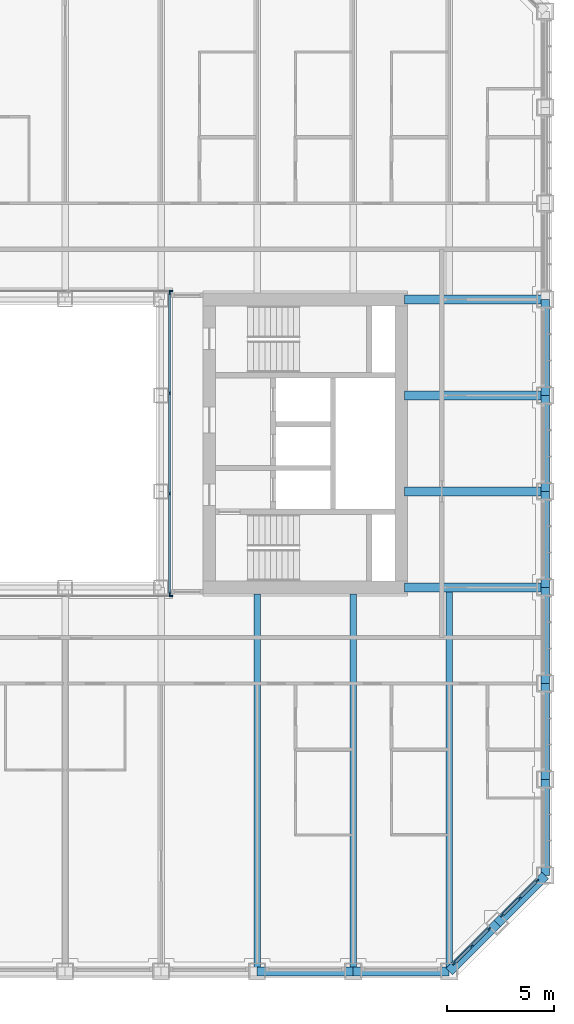
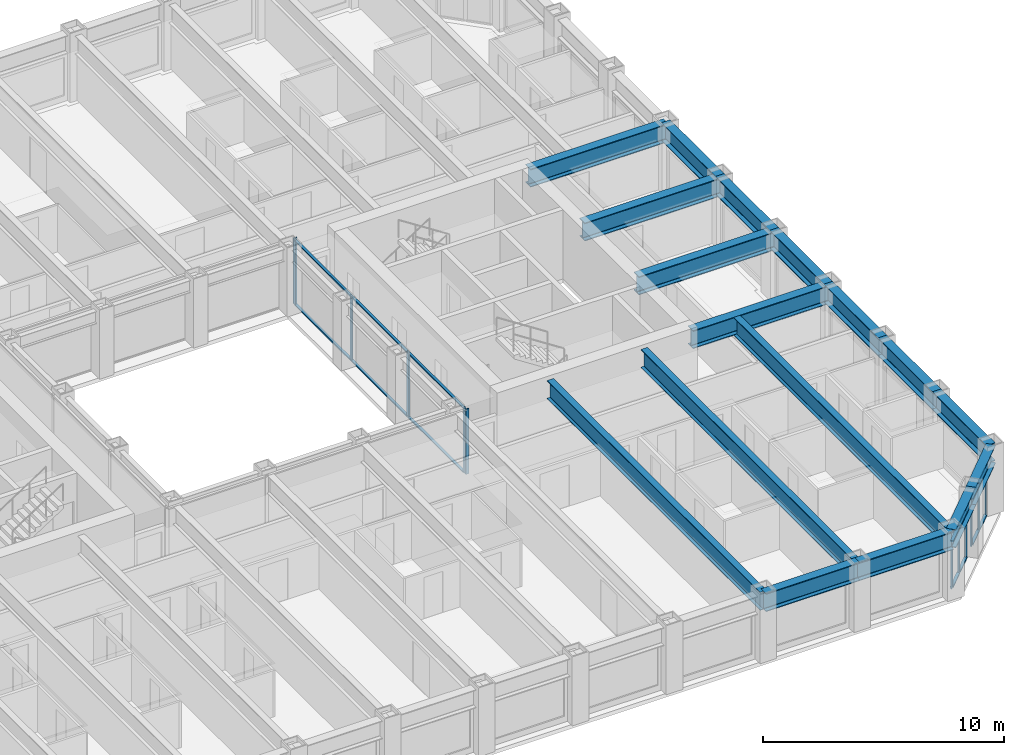
# One storey, part 5 of 21: 26 members, 17 beams, 5 elements without a shape of their own.
"""IFC4 building model written with IfcOpenShell, lengths in metres."""

from ifc_helpers import new_model, si_unit, direction, frame, origin, origin_2d, place, context, subcontext, project, spatial, rectangle, i_section, extrude, material, material_profile, profile_set, type_object, element, aggregate, save


model = new_model("IFC4")

# Units and contexts
model_context = context("Model", 3, precision=1e-05, world=origin(), true_north=direction((0.0, 1.0)))
body_context = subcontext(model_context, "Body", "Model", "MODEL_VIEW")
ifc_project = project(units=[si_unit("LENGTHUNIT", "METRE"), si_unit("AREAUNIT", "SQUARE_METRE"), si_unit("VOLUMEUNIT", "CUBIC_METRE"), si_unit("PLANEANGLEUNIT", "RADIAN"), si_unit("MASSUNIT", "GRAM", prefix="KILO")], contexts=[model_context])

# Site, building, storey
site_placement = place(None, origin())
site = spatial("IfcSite", under=ifc_project, at=site_placement, CompositionType="ELEMENT")
building_placement = place(site_placement, origin())
building = spatial("IfcBuilding", under=site, at=building_placement, Name="Msasa Ring Tower", CompositionType="ELEMENT")
storey_placement = place(building_placement, frame((0.0, 0.0, 79.0)))
storey = spatial("IfcBuildingStorey", under=building, at=storey_placement, Name="L20", CompositionType="ELEMENT", Elevation=79.0)

# Curtain wall, members
ifc_material_1 = material(Name="Aluminium curtain wall with clear glass", Category="aluminium")
curtain_wall_type_1 = type_object("IfcCurtainWallType", Name="CW-C CHAMFER CORNER CURTAIN WALL", PredefinedType="NOTDEFINED", material=ifc_material_1)
curtain_wall_1_placement = place(storey_placement, origin())
curtain_wall_1 = element("IfcCurtainWall", 1, at=curtain_wall_1_placement, inside=storey, type_object=curtain_wall_type_1, Name="Chamfer corner curtain wall SE L20", PredefinedType="NOTDEFINED")
ifc_material_2 = material(Name="Aluminium mullion", Category="aluminium")
ifc_material_profile_1 = material_profile(ifc_material_2, rectangle(XDim=0.06494140625, YDim=0.179931640625, at=origin_2d()), Name="AL 65x180")
ifc_profile_set_1 = profile_set([ifc_material_profile_1], Name="Aluminium mullion")
member_type_1 = type_object("IfcMemberType", Name="CW-C MULLION 65x180", PredefinedType="MULLION", material=ifc_profile_set_1)
member_1_placement = place(storey_placement, frame((20.48876953125, -24.369873046875, 0.0), z_axis=(0.0, 0.0, 1.0), x_axis=(-0.707106781187, 0.707106781187, 0.0)))
member_1 = element("IfcMember", 2, at=member_1_placement, type_object=member_type_1, Name="CW-C mullion 1", PredefinedType="MULLION", context=body_context, shape_type="SweptSolid", body=[
    extrude(rectangle(XDim=0.06494140625, YDim=0.179931640625, at=origin_2d()), origin(), (0.0, 0.0, 1.0), 2.37890625),
])
member_2_placement = place(storey_placement, frame((21.30419921875, -23.55419921875, 0.0), z_axis=(0.0, 0.0, 1.0), x_axis=(-0.707106781187, 0.707106781187, 0.0)))
member_2 = element("IfcMember", 3, at=member_2_placement, type_object=member_type_1, Name="CW-C mullion 2", PredefinedType="MULLION", context=body_context, shape_type="SweptSolid", body=[
    extrude(rectangle(XDim=0.06494140625, YDim=0.179931640625, at=origin_2d()), origin(), (0.0, 0.0, 1.0), 2.37890625),
])
member_3_placement = place(storey_placement, frame((22.119873046875, -22.73876953125, 0.0), z_axis=(0.0, 0.0, 1.0), x_axis=(-0.707106781187, 0.707106781187, 0.0)))
member_3 = element("IfcMember", 4, at=member_3_placement, type_object=member_type_1, Name="CW-C mullion 3", PredefinedType="MULLION", context=body_context, shape_type="SweptSolid", body=[
    extrude(rectangle(XDim=0.06494140625, YDim=0.179931640625, at=origin_2d()), origin(), (0.0, 0.0, 1.0), 2.37890625),
])

curtain_wall_2_placement = place(storey_placement, origin())
curtain_wall_2 = element("IfcCurtainWall", 5, at=curtain_wall_2_placement, inside=storey, type_object=curtain_wall_type_1, Name="Chamfer corner curtain wall SE L20", PredefinedType="NOTDEFINED")
member_4_placement = place(storey_placement, frame((22.73876953125, -22.119873046875, 0.0), z_axis=(0.0, 0.0, 1.0), x_axis=(-0.707106781187, 0.707106781187, 0.0)))
member_4 = element("IfcMember", 6, at=member_4_placement, type_object=member_type_1, Name="CW-C mullion 1", PredefinedType="MULLION", context=body_context, shape_type="SweptSolid", body=[
    extrude(rectangle(XDim=0.06494140625, YDim=0.179931640625, at=origin_2d()), origin(), (0.0, 0.0, 1.0), 2.37890625),
])
member_5_placement = place(storey_placement, frame((23.55419921875, -21.30419921875, 0.0), z_axis=(0.0, 0.0, 1.0), x_axis=(-0.707106781187, 0.707106781187, 0.0)))
member_5 = element("IfcMember", 7, at=member_5_placement, type_object=member_type_1, Name="CW-C mullion 2", PredefinedType="MULLION", context=body_context, shape_type="SweptSolid", body=[
    extrude(rectangle(XDim=0.06494140625, YDim=0.179931640625, at=origin_2d()), origin(), (0.0, 0.0, 1.0), 2.37890625),
])
member_6_placement = place(storey_placement, frame((24.369873046875, -20.48876953125, 0.0), z_axis=(0.0, 0.0, 1.0), x_axis=(-0.707106781187, 0.707106781187, 0.0)))
member_6 = element("IfcMember", 8, at=member_6_placement, type_object=member_type_1, Name="CW-C mullion 3", PredefinedType="MULLION", context=body_context, shape_type="SweptSolid", body=[
    extrude(rectangle(XDim=0.06494140625, YDim=0.179931640625, at=origin_2d()), origin(), (0.0, 0.0, 1.0), 2.37890625),
])

# Member
ifc_material_3 = material(Name="Aluminium transom", Category="aluminium")
ifc_material_profile_2 = material_profile(ifc_material_3, rectangle(XDim=0.139892578125, YDim=0.06494140625, at=origin_2d()), Name="AL 65x140")
ifc_profile_set_2 = profile_set([ifc_material_profile_2], Name="Aluminium transom")
member_type_2 = type_object("IfcMemberType", Name="CW-C TRANSOM 65x140", PredefinedType="USERDEFINED", material=ifc_profile_set_2)
member_7_placement = place(storey_placement, frame((20.51171875, -24.346923828125, 0.032470703125), z_axis=(0.707106781187, 0.707106781187, 0.0), x_axis=(-0.707106781187, 0.707106781187, 0.0)))
member_7 = element("IfcMember", 9, at=member_7_placement, type_object=member_type_2, Name="CW-C transom 1.1", ObjectType="TRANSOM", PredefinedType="USERDEFINED", context=body_context, shape_type="SweptSolid", body=[
    extrude(rectangle(XDim=0.139892578125, YDim=0.06494140625, at=origin_2d()), origin(), (0.0, 0.0, 1.0), 1.08837890625),
])

member_8_placement = place(storey_placement, frame((20.51171875, -24.346923828125, 2.346435546875), z_axis=(0.707106781187, 0.707106781187, 0.0), x_axis=(-0.707106781187, 0.707106781187, 0.0)))
member_8 = element("IfcMember", 10, at=member_8_placement, type_object=member_type_2, Name="CW-C transom 1.2", ObjectType="TRANSOM", PredefinedType="USERDEFINED", context=body_context, shape_type="SweptSolid", body=[
    extrude(rectangle(XDim=0.139892578125, YDim=0.06494140625, at=origin_2d()), origin(), (0.0, 0.0, 1.0), 1.08837890625),
])

member_9_placement = place(storey_placement, frame((21.327392578125, -23.53125, 0.032470703125), z_axis=(0.707106781187, 0.707106781187, 0.0), x_axis=(-0.707106781187, 0.707106781187, 0.0)))
member_9 = element("IfcMember", 11, at=member_9_placement, type_object=member_type_2, Name="CW-C transom 2.1", ObjectType="TRANSOM", PredefinedType="USERDEFINED", context=body_context, shape_type="SweptSolid", body=[
    extrude(rectangle(XDim=0.139892578125, YDim=0.06494140625, at=origin_2d()), origin(), (0.0, 0.0, 1.0), 1.08837890625),
])

member_10_placement = place(storey_placement, frame((21.327392578125, -23.53125, 2.346435546875), z_axis=(0.707106781187, 0.707106781187, 0.0), x_axis=(-0.707106781187, 0.707106781187, 0.0)))
member_10 = element("IfcMember", 12, at=member_10_placement, type_object=member_type_2, Name="CW-C transom 2.2", ObjectType="TRANSOM", PredefinedType="USERDEFINED", context=body_context, shape_type="SweptSolid", body=[
    extrude(rectangle(XDim=0.139892578125, YDim=0.06494140625, at=origin_2d()), origin(), (0.0, 0.0, 1.0), 1.08837890625),
])

aggregate(curtain_wall_1, [member_1, member_2, member_3, member_7, member_8, member_9, member_10])

member_11_placement = place(storey_placement, frame((22.76171875, -22.096923828125, 0.032470703125), z_axis=(0.707106781187, 0.707106781187, 0.0), x_axis=(-0.707106781187, 0.707106781187, 0.0)))
member_11 = element("IfcMember", 13, at=member_11_placement, type_object=member_type_2, Name="CW-C transom 1.1", ObjectType="TRANSOM", PredefinedType="USERDEFINED", context=body_context, shape_type="SweptSolid", body=[
    extrude(rectangle(XDim=0.139892578125, YDim=0.06494140625, at=origin_2d()), origin(), (0.0, 0.0, 1.0), 1.08837890625),
])

member_12_placement = place(storey_placement, frame((22.76171875, -22.096923828125, 2.346435546875), z_axis=(0.707106781187, 0.707106781187, 0.0), x_axis=(-0.707106781187, 0.707106781187, 0.0)))
member_12 = element("IfcMember", 14, at=member_12_placement, type_object=member_type_2, Name="CW-C transom 1.2", ObjectType="TRANSOM", PredefinedType="USERDEFINED", context=body_context, shape_type="SweptSolid", body=[
    extrude(rectangle(XDim=0.139892578125, YDim=0.06494140625, at=origin_2d()), origin(), (0.0, 0.0, 1.0), 1.08837890625),
])

member_13_placement = place(storey_placement, frame((23.577392578125, -21.28125, 0.032470703125), z_axis=(0.707106781187, 0.707106781187, 0.0), x_axis=(-0.707106781187, 0.707106781187, 0.0)))
member_13 = element("IfcMember", 15, at=member_13_placement, type_object=member_type_2, Name="CW-C transom 2.1", ObjectType="TRANSOM", PredefinedType="USERDEFINED", context=body_context, shape_type="SweptSolid", body=[
    extrude(rectangle(XDim=0.139892578125, YDim=0.06494140625, at=origin_2d()), origin(), (0.0, 0.0, 1.0), 1.08837890625),
])

member_14_placement = place(storey_placement, frame((23.577392578125, -21.28125, 2.346435546875), z_axis=(0.707106781187, 0.707106781187, 0.0), x_axis=(-0.707106781187, 0.707106781187, 0.0)))
member_14 = element("IfcMember", 16, at=member_14_placement, type_object=member_type_2, Name="CW-C transom 2.2", ObjectType="TRANSOM", PredefinedType="USERDEFINED", context=body_context, shape_type="SweptSolid", body=[
    extrude(rectangle(XDim=0.139892578125, YDim=0.06494140625, at=origin_2d()), origin(), (0.0, 0.0, 1.0), 1.08837890625),
])

aggregate(curtain_wall_2, [member_4, member_5, member_6, member_11, member_12, member_13, member_14])

# Curtain wall, member
ifc_material_4 = material(Name="Aluminium curtain wall with clear glass", Category="aluminium")
curtain_wall_type_2 = type_object("IfcCurtainWallType", Name="CW-W LIGHT WELL CURTAIN WALL", PredefinedType="NOTDEFINED", material=ifc_material_4)
curtain_wall_3_placement = place(storey_placement, origin())
curtain_wall_3 = element("IfcCurtainWall", 17, at=curtain_wall_3_placement, inside=storey, type_object=curtain_wall_type_2, Name="Light well curtain wall N L20", PredefinedType="NOTDEFINED")
ifc_material_5 = material(Name="Aluminium mullion", Category="aluminium")
ifc_material_profile_3 = material_profile(ifc_material_5, rectangle(XDim=0.06005859375, YDim=0.159912109375, at=origin_2d()), Name="AL 60x160")
ifc_profile_set_3 = profile_set([ifc_material_profile_3], Name="Aluminium mullion")
member_type_3 = type_object("IfcMemberType", Name="CW-W MULLION 60x160", PredefinedType="MULLION", material=ifc_profile_set_3)
member_15_placement = place(storey_placement, frame((7.199951171875, 7.14990234375, 0.0), z_axis=(0.0, 0.0, 1.0), x_axis=(0.0, 1.0, 0.0)))
member_15 = element("IfcMember", 18, at=member_15_placement, type_object=member_type_3, Name="CW-W mullion 4", PredefinedType="MULLION", context=body_context, shape_type="SweptSolid", body=[
    extrude(rectangle(XDim=0.06005859375, YDim=0.159912109375, at=origin_2d()), origin(), (0.0, 0.0, 1.0), 3.300048828125),
])
aggregate(curtain_wall_3, [member_15])

curtain_wall_4_placement = place(storey_placement, origin())
curtain_wall_4 = element("IfcCurtainWall", 19, at=curtain_wall_4_placement, inside=storey, type_object=curtain_wall_type_2, Name="Light well curtain wall S L20", PredefinedType="NOTDEFINED")
member_16_placement = place(storey_placement, frame((7.199951171875, -7.14990234375, 0.0), z_axis=(0.0, 0.0, 1.0), x_axis=(0.0, 1.0, 0.0)))
member_16 = element("IfcMember", 20, at=member_16_placement, type_object=member_type_3, Name="CW-W mullion 4", PredefinedType="MULLION", context=body_context, shape_type="SweptSolid", body=[
    extrude(rectangle(XDim=0.06005859375, YDim=0.159912109375, at=origin_2d()), origin(), (0.0, 0.0, 1.0), 3.300048828125),
])
aggregate(curtain_wall_4, [member_16])

# Curtain wall, members
curtain_wall_5_placement = place(storey_placement, origin())
curtain_wall_5 = element("IfcCurtainWall", 21, at=curtain_wall_5_placement, inside=storey, type_object=curtain_wall_type_2, Name="Light well curtain wall E L20", PredefinedType="NOTDEFINED")
member_17_placement = place(storey_placement, frame((7.14990234375, -7.0400390625, 0.0), z_axis=(0.0, 0.0, 1.0), x_axis=(-1.0, 0.0, 0.0)))
member_17 = element("IfcMember", 22, at=member_17_placement, type_object=member_type_3, Name="CW-W mullion 1", PredefinedType="MULLION", context=body_context, shape_type="SweptSolid", body=[
    extrude(rectangle(XDim=0.06005859375, YDim=0.159912109375, at=origin_2d()), origin(), (0.0, 0.0, 1.0), 3.300048828125),
])
member_18_placement = place(storey_placement, frame((7.14990234375, -2.356689453125, 0.0), z_axis=(0.0, 0.0, 1.0), x_axis=(-1.0, 0.0, 0.0)))
member_18 = element("IfcMember", 23, at=member_18_placement, type_object=member_type_3, Name="CW-W mullion 2", PredefinedType="MULLION", context=body_context, shape_type="SweptSolid", body=[
    extrude(rectangle(XDim=0.06005859375, YDim=0.159912109375, at=origin_2d()), origin(), (0.0, 0.0, 1.0), 3.300048828125),
])
member_19_placement = place(storey_placement, frame((7.14990234375, 2.356689453125, 0.0), z_axis=(0.0, 0.0, 1.0), x_axis=(-1.0, 0.0, 0.0)))
member_19 = element("IfcMember", 24, at=member_19_placement, type_object=member_type_3, Name="CW-W mullion 3", PredefinedType="MULLION", context=body_context, shape_type="SweptSolid", body=[
    extrude(rectangle(XDim=0.06005859375, YDim=0.159912109375, at=origin_2d()), origin(), (0.0, 0.0, 1.0), 3.300048828125),
])
member_20_placement = place(storey_placement, frame((7.14990234375, 7.0400390625, 0.0), z_axis=(0.0, 0.0, 1.0), x_axis=(-1.0, 0.0, 0.0)))
member_20 = element("IfcMember", 25, at=member_20_placement, type_object=member_type_3, Name="CW-W mullion 4", PredefinedType="MULLION", context=body_context, shape_type="SweptSolid", body=[
    extrude(rectangle(XDim=0.06005859375, YDim=0.159912109375, at=origin_2d()), origin(), (0.0, 0.0, 1.0), 3.300048828125),
])
ifc_material_6 = material(Name="Aluminium transom", Category="aluminium")
ifc_material_profile_4 = material_profile(ifc_material_6, rectangle(XDim=0.1201171875, YDim=0.06005859375, at=origin_2d()), Name="AL 60x120")
ifc_profile_set_4 = profile_set([ifc_material_profile_4], Name="Aluminium transom")
member_type_4 = type_object("IfcMemberType", Name="CW-W TRANSOM 60x120", PredefinedType="USERDEFINED", material=ifc_profile_set_4)
member_21_placement = place(storey_placement, frame((7.14990234375, -7.010009765625, 0.030029296875), z_axis=(0.0, 1.0, 0.0), x_axis=(-1.0, 0.0, 0.0)))
member_21 = element("IfcMember", 26, at=member_21_placement, type_object=member_type_4, Name="CW-W transom 1.1", ObjectType="TRANSOM", PredefinedType="USERDEFINED", context=body_context, shape_type="SweptSolid", body=[
    extrude(rectangle(XDim=0.1201171875, YDim=0.06005859375, at=origin_2d()), origin(), (0.0, 0.0, 1.0), 4.623291015625),
])
member_22_placement = place(storey_placement, frame((7.14990234375, -7.010009765625, 3.27001953125), z_axis=(0.0, 1.0, 0.0), x_axis=(-1.0, 0.0, 0.0)))
member_22 = element("IfcMember", 27, at=member_22_placement, type_object=member_type_4, Name="CW-W transom 1.2", ObjectType="TRANSOM", PredefinedType="USERDEFINED", context=body_context, shape_type="SweptSolid", body=[
    extrude(rectangle(XDim=0.1201171875, YDim=0.06005859375, at=origin_2d()), origin(), (0.0, 0.0, 1.0), 4.623291015625),
])
member_23_placement = place(storey_placement, frame((7.14990234375, -2.32666015625, 0.030029296875), z_axis=(0.0, 1.0, 0.0), x_axis=(-1.0, 0.0, 0.0)))
member_23 = element("IfcMember", 28, at=member_23_placement, type_object=member_type_4, Name="CW-W transom 2.1", ObjectType="TRANSOM", PredefinedType="USERDEFINED", context=body_context, shape_type="SweptSolid", body=[
    extrude(rectangle(XDim=0.1201171875, YDim=0.06005859375, at=origin_2d()), origin(), (0.0, 0.0, 1.0), 4.6533203125),
])
member_24_placement = place(storey_placement, frame((7.14990234375, -2.32666015625, 3.27001953125), z_axis=(0.0, 1.0, 0.0), x_axis=(-1.0, 0.0, 0.0)))
member_24 = element("IfcMember", 29, at=member_24_placement, type_object=member_type_4, Name="CW-W transom 2.2", ObjectType="TRANSOM", PredefinedType="USERDEFINED", context=body_context, shape_type="SweptSolid", body=[
    extrude(rectangle(XDim=0.1201171875, YDim=0.06005859375, at=origin_2d()), origin(), (0.0, 0.0, 1.0), 4.6533203125),
])
member_25_placement = place(storey_placement, frame((7.14990234375, 2.38671875, 0.030029296875), z_axis=(0.0, 1.0, 0.0), x_axis=(-1.0, 0.0, 0.0)))
member_25 = element("IfcMember", 30, at=member_25_placement, type_object=member_type_4, Name="CW-W transom 3.1", ObjectType="TRANSOM", PredefinedType="USERDEFINED", context=body_context, shape_type="SweptSolid", body=[
    extrude(rectangle(XDim=0.1201171875, YDim=0.06005859375, at=origin_2d()), origin(), (0.0, 0.0, 1.0), 4.623291015625),
])
member_26_placement = place(storey_placement, frame((7.14990234375, 2.38671875, 3.27001953125), z_axis=(0.0, 1.0, 0.0), x_axis=(-1.0, 0.0, 0.0)))
member_26 = element("IfcMember", 31, at=member_26_placement, type_object=member_type_4, Name="CW-W transom 3.2", ObjectType="TRANSOM", PredefinedType="USERDEFINED", context=body_context, shape_type="SweptSolid", body=[
    extrude(rectangle(XDim=0.1201171875, YDim=0.06005859375, at=origin_2d()), origin(), (0.0, 0.0, 1.0), 4.623291015625),
])
aggregate(curtain_wall_5, [member_17, member_18, member_19, member_20, member_21, member_22, member_23, member_24, member_25, member_26])

# Beams
ifc_material_7 = material(Name="Steel S355", Category="steel")
ifc_material_profile_5 = material_profile(ifc_material_7, i_section(OverallWidth=0.42041015625, OverallDepth=0.9208984375, WebThickness=0.021484375, FlangeThickness=0.03662109375, FilletRadius=0.024169921875, at=origin_2d()), Name="UB 914x419x388")
ifc_profile_set_5 = profile_set([ifc_material_profile_5], Name="Steel S355")
beam_type_1 = type_object("IfcBeamType", Name="FB2 UB 914x419x388", PredefinedType="BEAM", material=ifc_profile_set_5)
for number, where, z_axis, x_axis, name in (
    (32, (24.75, -2.25, 2.839599609375), (-1.0, 0.0, 0.0), (0.0, -1.0, 0.0), "Floor beam E -2.25 under L21"),
    (33, (24.75, 2.25, 2.839599609375), (-1.0, 0.0, 0.0), (0.0, -1.0, 0.0), "Floor beam E +2.25 under L21"),
):
    element("IfcBeam", number, at=place(storey_placement, frame(where, z_axis=z_axis, x_axis=x_axis)), inside=storey, type_object=beam_type_1, Name=name, PredefinedType="BEAM", context=body_context, shape_type="SweptSolid", body=[
        extrude(i_section(OverallWidth=0.42041015625, OverallDepth=0.9208984375, WebThickness=0.021484375, FlangeThickness=0.03662109375, FilletRadius=0.024169921875, at=origin_2d()), origin(), (0.0, 0.0, 1.0), 6.60009765625),
    ])
ifc_material_8 = material(Name="Steel S355", Category="steel")
ifc_material_profile_6 = material_profile(ifc_material_8, i_section(OverallWidth=0.3076171875, OverallDepth=0.926513671875, WebThickness=0.01953125, FlangeThickness=0.031982421875, FilletRadius=0.01904296875, at=origin_2d()), Name="UB 914x305x289")
ifc_profile_set_6 = profile_set([ifc_material_profile_6], Name="Steel S355")
beam_type_2 = type_object("IfcBeamType", Name="FB3 UB 914x305x289", PredefinedType="BEAM", material=ifc_profile_set_6)
for number, where, z_axis, x_axis, name in (
    (34, (11.25, -24.75, 2.836669921875), (0.0, 1.0, 0.0), (-1.0, 0.0, 0.0), "Floor beam S+11.25 under L21"),
    (35, (15.75, -24.75, 2.836669921875), (0.0, 1.0, 0.0), (-1.0, 0.0, 0.0), "Floor beam S+15.75 under L21"),
):
    element("IfcBeam", number, at=place(storey_placement, frame(where, z_axis=z_axis, x_axis=x_axis)), inside=storey, type_object=beam_type_2, Name=name, PredefinedType="BEAM", context=body_context, shape_type="SweptSolid", body=[
        extrude(i_section(OverallWidth=0.3076171875, OverallDepth=0.926513671875, WebThickness=0.01953125, FlangeThickness=0.031982421875, FilletRadius=0.01904296875, at=origin_2d()), origin(), (0.0, 0.0, 1.0), 17.699951171875),
    ])
beam_placement = place(storey_placement, frame((20.25, -24.75, 2.836669921875), z_axis=(0.0, 1.0, 0.0), x_axis=(-1.0, 0.0, 0.0)))
element("IfcBeam", 36, at=beam_placement, inside=storey, type_object=beam_type_2, Name="Floor beam S+20.25 under L21", PredefinedType="BEAM", context=body_context, shape_type="SweptSolid", body=[
    extrude(i_section(OverallWidth=0.3076171875, OverallDepth=0.926513671875, WebThickness=0.01953125, FlangeThickness=0.031982421875, FilletRadius=0.01904296875, at=origin_2d()), origin(), (0.0, 0.0, 1.0), 17.789794921875),
])
ifc_material_9 = material(Name="Steel S355", Category="steel")
ifc_material_profile_7 = material_profile(ifc_material_9, i_section(OverallWidth=0.42041015625, OverallDepth=0.9208984375, WebThickness=0.021484375, FlangeThickness=0.03662109375, FilletRadius=0.024169921875, at=origin_2d()), Name="UB 914x419x388")
ifc_profile_set_7 = profile_set([ifc_material_profile_7], Name="Steel S355")
beam_type_3 = type_object("IfcBeamType", Name="GB1 UB 914x419x388", PredefinedType="BEAM", material=ifc_profile_set_7)
for number, where, z_axis, x_axis, name in (
    (37, (18.14990234375, 6.75, 2.839599609375), (1.0, 0.0, 0.0), (0.0, 1.0, 0.0), "Girder E +6.75 under L21"),
    (38, (18.14990234375, -6.75, 2.839599609375), (1.0, 0.0, 0.0), (0.0, 1.0, 0.0), "Girder E -6.75 under L21"),
):
    element("IfcBeam", number, at=place(storey_placement, frame(where, z_axis=z_axis, x_axis=x_axis)), inside=storey, type_object=beam_type_3, Name=name, PredefinedType="BEAM", context=body_context, shape_type="SweptSolid", body=[
        extrude(i_section(OverallWidth=0.42041015625, OverallDepth=0.9208984375, WebThickness=0.021484375, FlangeThickness=0.03662109375, FilletRadius=0.024169921875, at=origin_2d()), origin(), (0.0, 0.0, 1.0), 6.60009765625),
    ])
ifc_material_10 = material(Name="Steel S355", Category="steel")
ifc_material_profile_8 = material_profile(ifc_material_10, i_section(OverallWidth=0.42041015625, OverallDepth=0.9208984375, WebThickness=0.021484375, FlangeThickness=0.03662109375, FilletRadius=0.024169921875, at=origin_2d()), Name="UB 914x419x388")
ifc_profile_set_8 = profile_set([ifc_material_profile_8], Name="Steel S355")
beam_type_4 = type_object("IfcBeamType", Name="SB1 UB 914x419x388", PredefinedType="SPANDREL", material=ifc_profile_set_8)
for number, where, z_axis, x_axis, name in (
    (39, (11.25, -24.75, 2.839599609375), (1.0, 0.0, 0.0), (0.0, 1.0, 0.0), "Spandrel S+11.25 to S+15.75 under L21"),
    (40, (15.75, -24.75, 2.839599609375), (1.0, 0.0, 0.0), (0.0, 1.0, 0.0), "Spandrel S+15.75 to S+20.25 under L21"),
):
    element("IfcBeam", number, at=place(storey_placement, frame(where, z_axis=z_axis, x_axis=x_axis)), inside=storey, type_object=beam_type_4, Name=name, PredefinedType="SPANDREL", context=body_context, shape_type="SweptSolid", body=[
        extrude(i_section(OverallWidth=0.42041015625, OverallDepth=0.9208984375, WebThickness=0.021484375, FlangeThickness=0.03662109375, FilletRadius=0.024169921875, at=origin_2d()), origin(), (0.0, 0.0, 1.0), 4.5),
    ])
for number, where, z_axis, x_axis, name in (
    (41, (20.25, -24.75, 2.839599609375), (0.707106781187, 0.707106781187, 0.0), (-0.707106781187, 0.707106781187, 0.0), "Spandrel S+20.25 to SE under L21"),
    (42, (22.5, -22.5, 2.839599609375), (0.707106781187, 0.707106781187, 0.0), (-0.707106781187, 0.707106781187, 0.0), "Spandrel SE to E-20.25 under L21"),
):
    element("IfcBeam", number, at=place(storey_placement, frame(where, z_axis=z_axis, x_axis=x_axis)), inside=storey, type_object=beam_type_4, Name=name, PredefinedType="SPANDREL", context=body_context, shape_type="SweptSolid", body=[
        extrude(i_section(OverallWidth=0.42041015625, OverallDepth=0.9208984375, WebThickness=0.021484375, FlangeThickness=0.03662109375, FilletRadius=0.024169921875, at=origin_2d()), origin(), (0.0, 0.0, 1.0), 3.181884765625),
    ])
for number, where, z_axis, x_axis, name in (
    (43, (24.75, -20.25, 2.839599609375), (0.0, 1.0, 0.0), (-1.0, 0.0, 0.0), "Spandrel E-20.25 to E-15.75 under L21"),
    (44, (24.75, -15.75, 2.839599609375), (0.0, 1.0, 0.0), (-1.0, 0.0, 0.0), "Spandrel E-15.75 to E-11.25 under L21"),
    (45, (24.75, -11.25, 2.839599609375), (0.0, 1.0, 0.0), (-1.0, 0.0, 0.0), "Spandrel E-11.25 to E-6.75 under L21"),
    (46, (24.75, -6.75, 2.839599609375), (0.0, 1.0, 0.0), (-1.0, 0.0, 0.0), "Spandrel E-6.75 to E-2.25 under L21"),
    (47, (24.75, -2.25, 2.839599609375), (0.0, 1.0, 0.0), (-1.0, 0.0, 0.0), "Spandrel E-2.25 to E+2.25 under L21"),
    (48, (24.75, 2.25, 2.839599609375), (0.0, 1.0, 0.0), (-1.0, 0.0, 0.0), "Spandrel E+2.25 to E+6.75 under L21"),
):
    element("IfcBeam", number, at=place(storey_placement, frame(where, z_axis=z_axis, x_axis=x_axis)), inside=storey, type_object=beam_type_4, Name=name, PredefinedType="SPANDREL", context=body_context, shape_type="SweptSolid", body=[
        extrude(i_section(OverallWidth=0.42041015625, OverallDepth=0.9208984375, WebThickness=0.021484375, FlangeThickness=0.03662109375, FilletRadius=0.024169921875, at=origin_2d()), origin(), (0.0, 0.0, 1.0), 4.5),
    ])

save(model, "model.ifc")
